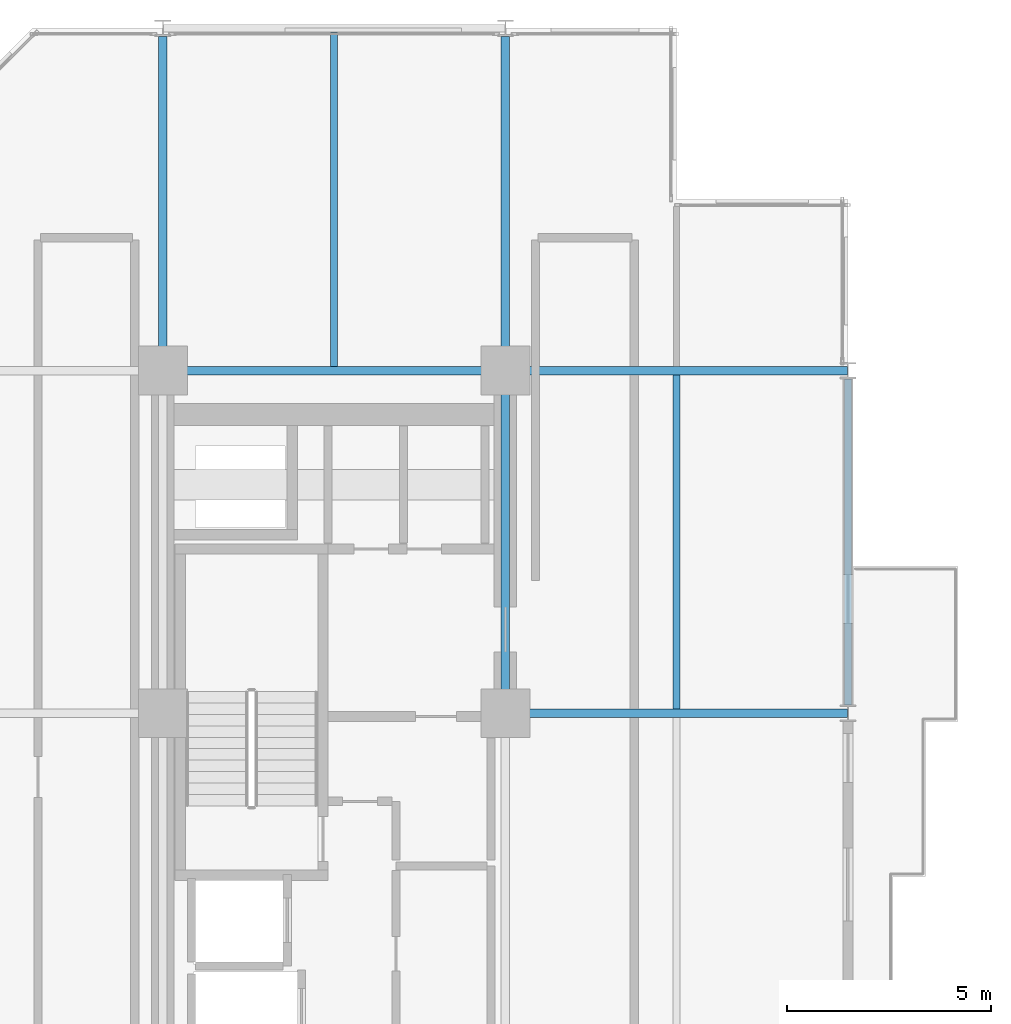
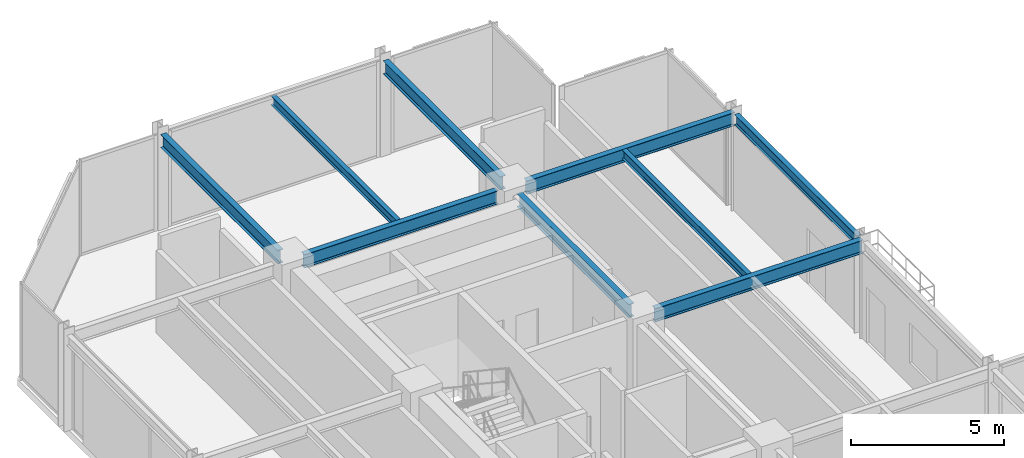
# One storey, part 19 of 29: 9 beams.
"""IFC4 building model written with IfcOpenShell, lengths in metres."""

import ifcopenshell
import ifcopenshell.guid

model = None  # the IFC model being written
_history = None  # IfcOwnerHistory: only IFC2X3 demands one
_inside = {}  # id of a spatial element -> (the spatial element, [elements in it])
_under = {}  # id of a project, library or spatial element -> (it, [spatial elements below it])
_declared = {}  # id of a project -> (the project, [libraries it declares])
_typed = {}  # id of a type object -> (the type object, [elements of that type])
_made_of = {}  # id of a material, layer set ... -> (it, [elements and type objects made of it])


def new_model(schema):
    """Start an empty IFC model of exactly this schema.

    Asked for "IFC4X3", IfcOpenShell would pick the latest addendum, in which some entities
    have other attributes; the version numbers below select the first issue.
    IFC2X3 requires an IfcOwnerHistory on every rooted entity: one is made here for all.
    """
    global model, _history
    if schema == "IFC4X3":
        model = ifcopenshell.file(schema_version=(4, 3, 0, 0))
    else:
        model = ifcopenshell.file(schema=schema)
    _inside.clear()
    _under.clear()
    _declared.clear()
    _typed.clear()
    _made_of.clear()
    _history = None
    if model.schema == "IFC2X3":
        org = make("IfcOrganization", Name="unknown")
        user = make(
            "IfcPersonAndOrganization",
            ThePerson=make("IfcPerson", FamilyName="unknown"),
            TheOrganization=org,
        )
        app = make(
            "IfcApplication",
            ApplicationDeveloper=org,
            Version="unknown",
            ApplicationFullName="unknown",
            ApplicationIdentifier="unknown",
        )
        _history = make(
            "IfcOwnerHistory",
            OwningUser=user,
            OwningApplication=app,
            ChangeAction="ADDED",
            CreationDate=0,
        )
    return model


def make(cls, **values):
    """One entity of the class cls with the attributes given. An attribute that is None is left unset."""
    return model.create_entity(
        cls, **{name: value for name, value in values.items() if value is not None}
    )


def rooted(cls, **values):
    """An entity with a GlobalId (a new one), such as an element, a storey or a relation."""
    return make(cls, GlobalId=ifcopenshell.guid.new(), OwnerHistory=_history, **values)


def si_unit(unit_type, name, prefix=None):
    """IfcSIUnit, for example si_unit("LENGTHUNIT", "METRE", prefix="MILLI")."""
    return make("IfcSIUnit", UnitType=unit_type, Prefix=prefix, Name=name)


def assignment(units):
    """IfcUnitAssignment: the units of a project."""
    return None if units is None else make("IfcUnitAssignment", Units=units)


def point(xyz):
    """IfcCartesianPoint."""
    return None if xyz is None else make("IfcCartesianPoint", Coordinates=xyz)


def direction(xyz):
    """IfcDirection."""
    return None if xyz is None else make("IfcDirection", DirectionRatios=xyz)


def frame(location, z_axis=None, x_axis=None):
    """IfcAxis2Placement3D, a coordinate frame: its origin and axes. An axis left out is left unset."""
    return make(
        "IfcAxis2Placement3D",
        Location=point(location),
        Axis=direction(z_axis),
        RefDirection=direction(x_axis),
    )


def frame_2d(location, x_axis=None):
    """IfcAxis2Placement2D, a coordinate frame in the plane: its origin and x axis."""
    return make(
        "IfcAxis2Placement2D", Location=point(location), RefDirection=direction(x_axis)
    )


def origin():
    """The frame at (0, 0, 0) with its axes left unset."""
    return frame((0.0, 0.0, 0.0))


def origin_2d():
    """The frame at (0, 0) in the plane with its x axis left unset."""
    return frame_2d((0.0, 0.0))


def place(relative_to, where):
    """IfcLocalPlacement: puts the frame where relative to a parent placement (None: the world)."""
    return make(
        "IfcLocalPlacement", PlacementRelTo=relative_to, RelativePlacement=where
    )


def context(
    kind, dimensions, precision=None, world=None, true_north=None, identifier=None
):
    """IfcGeometricRepresentationContext, for example the 3D "Model" context."""
    return make(
        "IfcGeometricRepresentationContext",
        ContextIdentifier=identifier,
        ContextType=kind,
        CoordinateSpaceDimension=dimensions,
        Precision=precision,
        WorldCoordinateSystem=world,
        TrueNorth=true_north,
    )


def subcontext(parent, identifier, kind, view, scale=None):
    """IfcGeometricRepresentationSubContext, for example "Body" below "Model"."""
    return make(
        "IfcGeometricRepresentationSubContext",
        ContextIdentifier=identifier,
        ContextType=kind,
        ParentContext=parent,
        TargetScale=scale,
        TargetView=view,
    )


def project(units=None, contexts=None):
    """IfcProject with its units and contexts."""
    return rooted(
        "IfcProject",
        Name="project",
        RepresentationContexts=contexts,
        UnitsInContext=assignment(units),
    )


def spatial(cls, under=None, at=None, **own):
    """A site, building, storey or space (cls), placed at a placement, below another one or the project."""
    s = rooted(cls, ObjectPlacement=at, **own)
    if under is not None:
        _under.setdefault(under.id(), (under, []))[1].append(s)
    return s


def profile(cls, at=None, kind="AREA", **sizes):
    """A parametric profile (cls). Its sizes go by their IFC names, for example OverallWidth=200.0."""
    return make(cls, ProfileType=kind, Position=at, **sizes)


def i_section(**sizes):
    """IfcIShapeProfileDef."""
    return profile("IfcIShapeProfileDef", **sizes)


def extrude(swept, where, along, depth):
    """IfcExtrudedAreaSolid: the profile swept, set in the frame where, extruded along a direction by depth."""
    return make(
        "IfcExtrudedAreaSolid",
        SweptArea=swept,
        Position=where,
        ExtrudedDirection=direction(along),
        Depth=depth,
    )


def shape(context_of_items, identifier, shape_type, items):
    """IfcShapeRepresentation: the items that make up one representation, for example the "Body"."""
    return make(
        "IfcShapeRepresentation",
        ContextOfItems=context_of_items,
        RepresentationIdentifier=identifier,
        RepresentationType=shape_type,
        Items=items,
    )


def material(Name=None, Category=None):
    """IfcMaterial."""
    return make("IfcMaterial", Name=Name, Category=Category)


def material_profile(
    of_material, cross_section, Name=None, Category=None, Priority=None
):
    """IfcMaterialProfile: a cross section and its material."""
    return make(
        "IfcMaterialProfile",
        Name=Name,
        Material=of_material,
        Profile=cross_section,
        Priority=Priority,
        Category=Category,
    )


def profile_set(profiles, Name=None, composite=None):
    """IfcMaterialProfileSet."""
    return make(
        "IfcMaterialProfileSet",
        Name=Name,
        MaterialProfiles=profiles,
        CompositeProfile=composite,
    )


def made_of(thing, what):
    """Note that an element or type object is made of a material, layer set ...; save() writes the relation."""
    if what is not None:
        _made_of.setdefault(what.id(), (what, []))[1].append(thing)
    return thing


def type_object(cls, material=None, **own):
    """A type object (cls), such as IfcWallType, which elements share."""
    return made_of(rooted(cls, **own), material)


def element(
    cls,
    number,
    at=None,
    inside=None,
    cuts=None,
    type_object=None,
    material=None,
    context=None,
    identifier="Body",
    shape_type=None,
    held_by="IfcProductDefinitionShape",
    body=None,
    shapes=None,
    **own,
):
    """One element of the class cls, such as IfcWall. Its Tag is "e" and its number.

    at: its placement. inside: the storey or other place that contains it. cuts: it is an
    opening in that element (IfcRelVoidsElement). A single representation is given by context,
    identifier, shape_type and body (its items); several are given by shapes. held_by: the class
    of the entity that holds the representations. save() writes the other relations.
    """
    e = rooted(cls, Tag="e%d" % number, ObjectPlacement=at, **own)
    if body is not None:
        shapes = [shape(context, identifier, shape_type, body)]
    if shapes is not None:
        e.Representation = make(held_by, Representations=shapes)
    if inside is not None:
        _inside.setdefault(inside.id(), (inside, []))[1].append(e)
    if cuts is not None:
        rooted(
            "IfcRelVoidsElement", RelatingBuildingElement=cuts, RelatedOpeningElement=e
        )
    if type_object is not None:
        _typed.setdefault(type_object.id(), (type_object, []))[1].append(e)
    return made_of(e, material)


def aggregate(whole, parts):
    """IfcRelAggregates: a whole, such as a stair, and the parts it consists of."""
    return rooted("IfcRelAggregates", RelatingObject=whole, RelatedObjects=parts)


def save(model, path):
    """Write the relations noted so far, then the file.

    IfcRelAggregates (storeys below a building ...), IfcRelContainedInSpatialStructure (elements
    in a storey), IfcRelDefinesByType, IfcRelAssociatesMaterial and IfcRelDeclares: one each for
    every whole, place, type object, material and project.
    """
    for whole, parts in _under.values():
        aggregate(whole, parts)
    for where, things in _inside.values():
        rooted(
            "IfcRelContainedInSpatialStructure",
            RelatedElements=things,
            RelatingStructure=where,
        )
    for kind, things in _typed.values():
        rooted("IfcRelDefinesByType", RelatedObjects=things, RelatingType=kind)
    for what, things in _made_of.values():
        rooted("IfcRelAssociatesMaterial", RelatedObjects=things, RelatingMaterial=what)
    for by, libraries in _declared.values():
        rooted("IfcRelDeclares", RelatingContext=by, RelatedDefinitions=libraries)
    model.write(path)


model = new_model("IFC4")

# Units and contexts
model_context = context("Model", 3, precision=1e-05, world=origin(), true_north=direction((0.0, 1.0)))
body_context = subcontext(model_context, "Body", "Model", "MODEL_VIEW")
ifc_project = project(units=[si_unit("LENGTHUNIT", "METRE"), si_unit("AREAUNIT", "SQUARE_METRE"), si_unit("VOLUMEUNIT", "CUBIC_METRE"), si_unit("PLANEANGLEUNIT", "RADIAN"), si_unit("MASSUNIT", "GRAM", prefix="KILO")], contexts=[model_context])

# Site, building, storey
site_placement = place(None, origin())
site = spatial("IfcSite", under=ifc_project, at=site_placement, CompositionType="ELEMENT")
building_placement = place(site_placement, origin())
building = spatial("IfcBuilding", under=site, at=building_placement, Name="Nerrivon Quay Data Exchange", CompositionType="ELEMENT")
storey_placement = place(building_placement, frame((0.0, 0.0, 125.39990234375)))
storey = spatial("IfcBuildingStorey", under=building, at=storey_placement, Name="L29", CompositionType="ELEMENT", Elevation=125.39990234375)

# Beams
ifc_material = material(Name="Steel Grade 350", Category="steel")
ifc_material_profile_1 = material_profile(ifc_material, i_section(OverallWidth=0.208984375, OverallDepth=0.532958984375, WebThickness=0.01025390625, FlangeThickness=0.015625, FilletRadius=0.013916015625, at=origin_2d()), Name="530UB92.4")
ifc_profile_set_1 = profile_set([ifc_material_profile_1], Name="Steel Grade 350")
beam_type_1 = type_object("IfcBeamType", Name="BM-G3-530UB92", PredefinedType="BEAM", material=ifc_profile_set_1)
beam_1_placement = place(storey_placement, frame((17.340087890625, 33.60009765625, 3.55859375), z_axis=(1.0, 0.0, 0.0), x_axis=(0.0, 1.0, 0.0)))
element("IfcBeam", 1, at=beam_1_placement, inside=storey, type_object=beam_type_1, Name="L29 EW Girder Y=33.6 (16.8..25.2)", PredefinedType="BEAM", context=body_context, shape_type="SweptSolid", body=[
    extrude(i_section(OverallWidth=0.208984375, OverallDepth=0.532958984375, WebThickness=0.01025390625, FlangeThickness=0.015625, FilletRadius=0.013916015625, at=origin_2d()), origin(), (0.0, 0.0, 1.0), 7.847412109375),
])
beam_2_placement = place(storey_placement, frame((8.93994140625, 42.0, 3.55859375), z_axis=(1.0, 0.0, 0.0), x_axis=(0.0, 1.0, 0.0)))
element("IfcBeam", 2, at=beam_2_placement, inside=storey, type_object=beam_type_1, Name="L29 EW Girder Y=42.0 (8.4..16.8)", PredefinedType="BEAM", context=body_context, shape_type="SweptSolid", body=[
    extrude(i_section(OverallWidth=0.208984375, OverallDepth=0.532958984375, WebThickness=0.01025390625, FlangeThickness=0.015625, FilletRadius=0.013916015625, at=origin_2d()), origin(), (0.0, 0.0, 1.0), 7.320068359375),
])
beam_3_placement = place(storey_placement, frame((17.340087890625, 42.0, 3.55859375), z_axis=(1.0, 0.0, 0.0), x_axis=(0.0, 1.0, 0.0)))
element("IfcBeam", 3, at=beam_3_placement, inside=storey, type_object=beam_type_1, Name="L29 EW Girder Y=42.0 (16.8..25.2)", PredefinedType="BEAM", context=body_context, shape_type="SweptSolid", body=[
    extrude(i_section(OverallWidth=0.208984375, OverallDepth=0.532958984375, WebThickness=0.01025390625, FlangeThickness=0.015625, FilletRadius=0.013916015625, at=origin_2d()), origin(), (0.0, 0.0, 1.0), 7.847412109375),
])
ifc_material_profile_2 = material_profile(ifc_material, i_section(OverallWidth=0.208984375, OverallDepth=0.528076171875, WebThickness=0.009521484375, FlangeThickness=0.01318359375, FilletRadius=0.013916015625, at=origin_2d()), Name="530UB82.0")
ifc_profile_set_2 = profile_set([ifc_material_profile_2], Name="Steel Grade 350")
beam_type_2 = type_object("IfcBeamType", Name="BM-G4-530UB82", PredefinedType="BEAM", material=ifc_profile_set_2)
beam_4_placement = place(storey_placement, frame((8.39990234375, 42.5400390625, 3.56103515625), z_axis=(0.0, 1.0, 0.0), x_axis=(-1.0, 0.0, 0.0)))
element("IfcBeam", 4, at=beam_4_placement, inside=storey, type_object=beam_type_2, Name="L29 NS Girder X=8.4 (42.0..50.4)", PredefinedType="BEAM", context=body_context, shape_type="SweptSolid", body=[
    extrude(i_section(OverallWidth=0.208984375, OverallDepth=0.528076171875, WebThickness=0.009521484375, FlangeThickness=0.01318359375, FilletRadius=0.013916015625, at=origin_2d()), origin(), (0.0, 0.0, 1.0), 7.659912109375),
])
beam_5_placement = place(storey_placement, frame((16.800048828125, 34.139892578125, 3.56103515625), z_axis=(0.0, 1.0, 0.0), x_axis=(-1.0, 0.0, 0.0)))
element("IfcBeam", 5, at=beam_5_placement, inside=storey, type_object=beam_type_2, Name="L29 NS Girder X=16.8 (33.6..42.0)", PredefinedType="BEAM", context=body_context, shape_type="SweptSolid", body=[
    extrude(i_section(OverallWidth=0.208984375, OverallDepth=0.528076171875, WebThickness=0.009521484375, FlangeThickness=0.01318359375, FilletRadius=0.013916015625, at=origin_2d()), origin(), (0.0, 0.0, 1.0), 7.320068359375),
])
beam_6_placement = place(storey_placement, frame((16.800048828125, 42.5400390625, 3.56103515625), z_axis=(0.0, 1.0, 0.0), x_axis=(-1.0, 0.0, 0.0)))
element("IfcBeam", 6, at=beam_6_placement, inside=storey, type_object=beam_type_2, Name="L29 NS Girder X=16.8 (42.0..50.4)", PredefinedType="BEAM", context=body_context, shape_type="SweptSolid", body=[
    extrude(i_section(OverallWidth=0.208984375, OverallDepth=0.528076171875, WebThickness=0.009521484375, FlangeThickness=0.01318359375, FilletRadius=0.013916015625, at=origin_2d()), origin(), (0.0, 0.0, 1.0), 7.659912109375),
])
ifc_material_profile_3 = material_profile(ifc_material, i_section(OverallWidth=0.1708984375, OverallDepth=0.35595703125, WebThickness=0.00732421875, FlangeThickness=0.011474609375, FilletRadius=0.011474609375, at=origin_2d()), Name="360UB50.7")
ifc_profile_set_3 = profile_set([ifc_material_profile_3], Name="Steel Grade 350")
beam_type_3 = type_object("IfcBeamType", Name="BM-J4-360UB51", PredefinedType="JOIST", material=ifc_profile_set_3)
beam_7_placement = place(storey_placement, frame((12.60009765625, 42.1044921875, 3.647216796875), z_axis=(0.0, 1.0, 0.0), x_axis=(-1.0, 0.0, 0.0)))
element("IfcBeam", 7, at=beam_7_placement, inside=storey, type_object=beam_type_3, Name="L29 Secondary Joist X=12.6 (42.0..50.4)", PredefinedType="JOIST", context=body_context, shape_type="SweptSolid", body=[
    extrude(i_section(OverallWidth=0.1708984375, OverallDepth=0.35595703125, WebThickness=0.00732421875, FlangeThickness=0.011474609375, FilletRadius=0.011474609375, at=origin_2d()), origin(), (0.0, 0.0, 1.0), 8.20654296875),
])
beam_8_placement = place(storey_placement, frame((21.0, 33.70458984375, 3.647216796875), z_axis=(0.0, 1.0, 0.0), x_axis=(-1.0, 0.0, 0.0)))
element("IfcBeam", 8, at=beam_8_placement, inside=storey, type_object=beam_type_3, Name="L29 Secondary Joist X=21.0 (33.6..42.0)", PredefinedType="JOIST", context=body_context, shape_type="SweptSolid", body=[
    extrude(i_section(OverallWidth=0.1708984375, OverallDepth=0.35595703125, WebThickness=0.00732421875, FlangeThickness=0.011474609375, FilletRadius=0.011474609375, at=origin_2d()), origin(), (0.0, 0.0, 1.0), 8.19091796875),
])
ifc_material_profile_4 = material_profile(ifc_material, i_section(OverallWidth=0.177978515625, OverallDepth=0.403076171875, WebThickness=0.007568359375, FlangeThickness=0.010986328125, FilletRadius=0.011474609375, at=origin_2d()), Name="410UB53.7")
ifc_profile_set_4 = profile_set([ifc_material_profile_4], Name="Steel Grade 350")
beam_type_4 = type_object("IfcBeamType", Name="BM-SP2-410UB54", PredefinedType="SPANDREL", material=ifc_profile_set_4)
beam_9_placement = place(storey_placement, frame((25.199951171875, 33.800048828125, 3.62353515625), z_axis=(0.0, 1.0, 0.0), x_axis=(-1.0, 0.0, 0.0)))
element("IfcBeam", 9, at=beam_9_placement, inside=storey, type_object=beam_type_4, Name="L29 NS Girder X=25.2 (33.6..42.0)", PredefinedType="SPANDREL", context=body_context, shape_type="SweptSolid", body=[
    extrude(i_section(OverallWidth=0.177978515625, OverallDepth=0.403076171875, WebThickness=0.007568359375, FlangeThickness=0.010986328125, FilletRadius=0.011474609375, at=origin_2d()), origin(), (0.0, 0.0, 1.0), 8.0),
])

save(model, "model.ifc")
